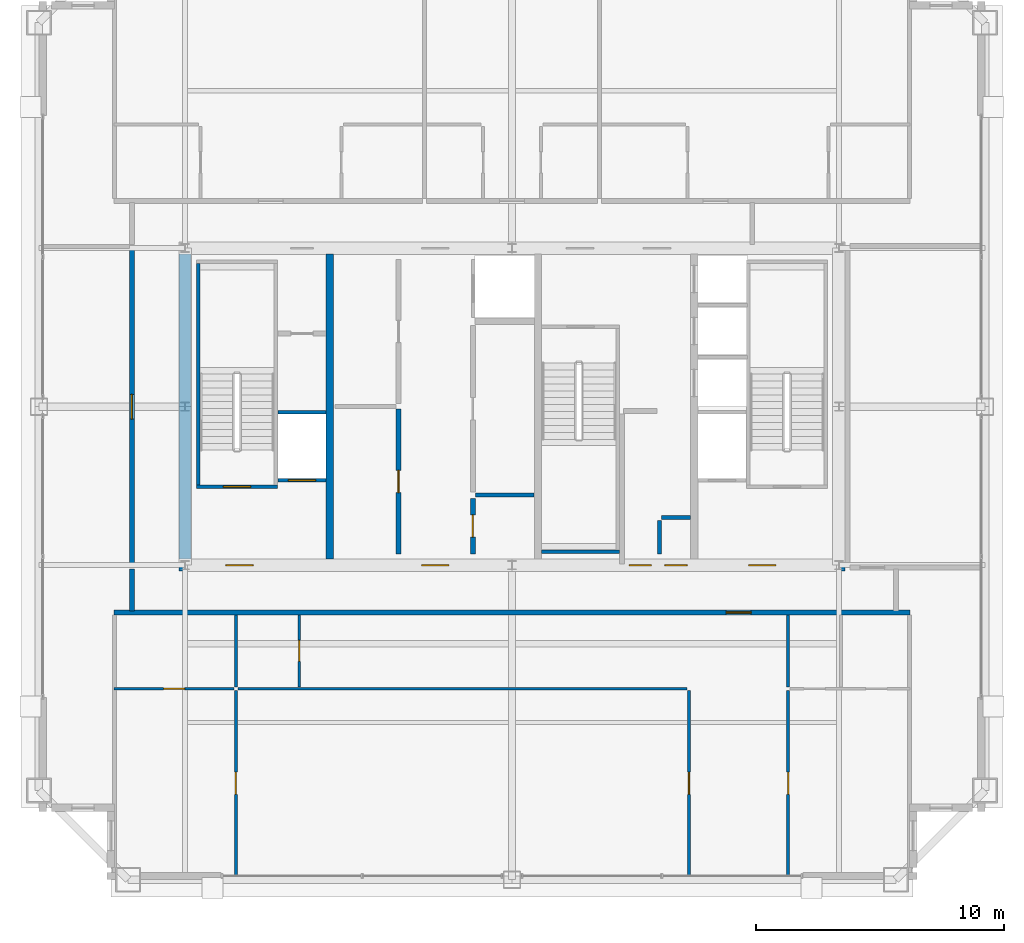
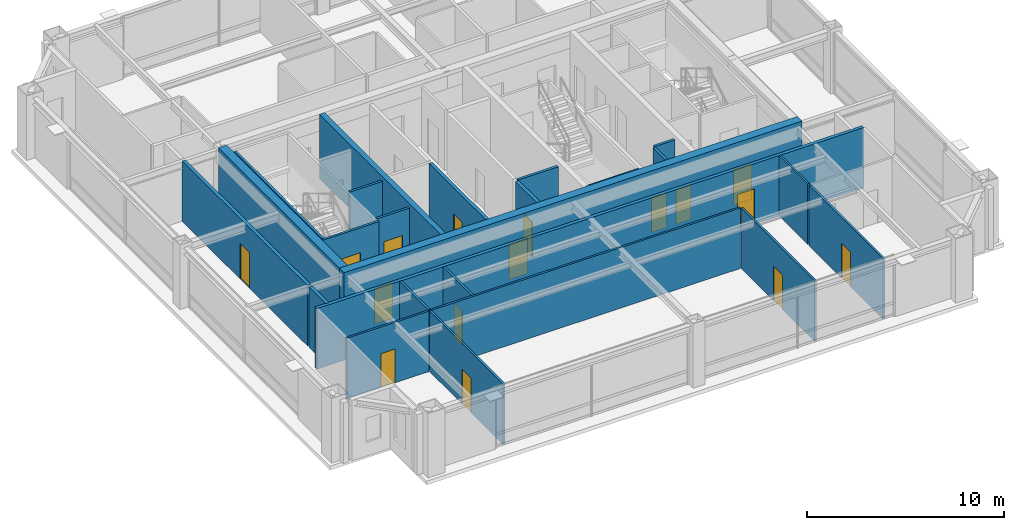
# One storey, part 30 of 34: 24 walls, 16 doors, 16 openings.
"""IFC4 building model written with IfcOpenShell, lengths in metres."""

from ifc_helpers import new_model, si_unit, direction, frame, frame_2d, origin, place, context, subcontext, project, spatial, rectangle, extrude, source, transform, mapped, material, layer, layer_set, type_object, element, fill, save


model = new_model("IFC4")

# Units and contexts
model_context = context("Model", 3, precision=1e-05, world=origin(), true_north=direction((0.0, 1.0)))
body_context = subcontext(model_context, "Body", "Model", "MODEL_VIEW")
ifc_project = project(units=[si_unit("LENGTHUNIT", "METRE"), si_unit("AREAUNIT", "SQUARE_METRE"), si_unit("VOLUMEUNIT", "CUBIC_METRE"), si_unit("PLANEANGLEUNIT", "RADIAN"), si_unit("MASSUNIT", "GRAM", prefix="KILO"), si_unit("THERMODYNAMICTEMPERATUREUNIT", "KELVIN"), si_unit("POWERUNIT", "WATT")], contexts=[model_context])

# Site, building, storey
site_placement = place(None, origin())
site = spatial("IfcSite", under=ifc_project, at=site_placement, CompositionType="ELEMENT")
building_placement = place(site_placement, origin())
building = spatial("IfcBuilding", under=site, at=building_placement, Name="Yuzanri Waterfront Tower", CompositionType="ELEMENT")
storey_placement = place(building_placement, frame((0.0, 0.0, 339.199951171875)))
storey = spatial("IfcBuildingStorey", under=building, at=storey_placement, Name="L91", CompositionType="ELEMENT", Elevation=339.199951171875)

# Wall, opening, door
ifc_material_1 = material(Name="Moisture-Resistant Gypsum Stud Wall", Category="gypsum")
ifc_layer_1 = layer(ifc_material_1, 0.1201171875)
ifc_layer_set_1 = layer_set([ifc_layer_1], Name="Moisture-Resistant Gypsum Stud Wall")
wall_type_1 = type_object("IfcWallType", Name="Bathroom and Kitchen Wet Partition 120", PredefinedType="PARTITIONING", material=ifc_layer_set_1)
wall_1_placement = place(storey_placement, frame((20.93994140625, 14.409912109375, 0.0), z_axis=(0.0, 0.0, 1.0), x_axis=(1.0, 0.0, 0.0)))
wall_1 = element("IfcWall", 1, at=wall_1_placement, inside=storey, type_object=wall_type_1, Name="L91 Partition UW-L91-HS1-SUB-1-S", PredefinedType="PARTITIONING", context=body_context, shape_type="SweptSolid", body=[
    extrude(rectangle(XDim=4.830078125, YDim=0.1201171875, at=frame_2d((2.4150390625, 0.0))), origin(), (0.0, 0.0, 1.0), 3.760009765625),
])
opening_1_placement = place(wall_1_placement, frame((1.989990234375, 0.0, 0.0)))
opening_1 = element("IfcOpeningElement", 2, at=opening_1_placement, cuts=wall_1, Name="Opening ID-0850", PredefinedType="OPENING", context=body_context, shape_type="SweptSolid", body=[
    extrude(rectangle(XDim=0.85009765625, YDim=2.10009765625, at=frame_2d((0.425048828125, 1.050048828125))), frame((0.0, 0.074951171875, 0.0), z_axis=(0.0, -1.0, 0.0), x_axis=(1.0, 0.0, 0.0)), (0.0, 0.0, 1.0), 0.14990234375),
])
ifc_material_2 = material(Name="Moisture-Resistant Lacquered Timber", Category="wood")
door_type_1 = type_object("IfcDoorType", Name="En-Suite Bathroom and Kitchen Swing Door 850x2100", OperationType="NOTDEFINED", PredefinedType="DOOR", material=ifc_material_2)
shared_shape_1 = source(origin(), body_context, "Body", "SweptSolid", [
    extrude(rectangle(XDim=0.85009765625, YDim=2.10009765625, at=frame_2d((0.425048828125, 1.050048828125))), frame((0.0, 0.02490234375, 0.0), z_axis=(0.0, -1.0, 0.0), x_axis=(1.0, 0.0, 0.0)), (0.0, 0.0, 1.0), 0.050048828125),
])
door_1_placement = place(opening_1_placement, origin())
door_1 = element("IfcDoor", 3, at=door_1_placement, inside=storey, type_object=door_type_1, Name="L91 Suite Interior Room Door", OperationType="SINGLE_SWING_RIGHT", OverallHeight=2.10009765625, OverallWidth=0.85009765625, PredefinedType="DOOR", context=body_context, shape_type="MappedRepresentation", body=[
    mapped(shared_shape_1, transform((0.0, 0.0, 0.0), scale=1.0)),
])
fill(opening_1, door_1)

wall_2_placement = place(storey_placement, frame((28.409912109375, 14.489990234375, 0.0), z_axis=(0.0, 0.0, 1.0), x_axis=(0.0, 1.0, 0.0)))
wall_2 = element("IfcWall", 4, at=wall_2_placement, inside=storey, type_object=wall_type_1, Name="L91 Partition UW-L91-HS1-SUB-2-E", PredefinedType="PARTITIONING", context=body_context, shape_type="SweptSolid", body=[
    extrude(rectangle(XDim=2.89990234375, YDim=0.1201171875, at=frame_2d((1.449951171875, 0.0))), origin(), (0.0, 0.0, 1.0), 3.760009765625),
])
opening_2_placement = place(wall_2_placement, frame((1.02490234375, 0.0, 0.0)))
opening_2 = element("IfcOpeningElement", 5, at=opening_2_placement, cuts=wall_2, Name="Opening ID-0850", PredefinedType="OPENING", context=body_context, shape_type="SweptSolid", body=[
    extrude(rectangle(XDim=0.85009765625, YDim=2.10009765625, at=frame_2d((0.425048828125, 1.050048828125))), frame((0.0, 0.074951171875, 0.0), z_axis=(0.0, -1.0, 0.0), x_axis=(1.0, 0.0, 0.0)), (0.0, 0.0, 1.0), 0.14990234375),
])
door_2_placement = place(opening_2_placement, origin())
door_2 = element("IfcDoor", 6, at=door_2_placement, inside=storey, type_object=door_type_1, Name="L91 Suite Interior Room Door", OperationType="SINGLE_SWING_LEFT", OverallHeight=2.10009765625, OverallWidth=0.85009765625, PredefinedType="DOOR", context=body_context, shape_type="MappedRepresentation", body=[
    mapped(shared_shape_1, transform((0.0, 0.0, 0.0), scale=1.0)),
])
fill(opening_2, door_2)

wall_3_placement = place(storey_placement, frame((25.85009765625, 6.85009765625, 0.0), z_axis=(0.0, 0.0, 1.0), x_axis=(0.0, 1.0, 0.0)))
wall_3 = element("IfcWall", 7, at=wall_3_placement, inside=storey, type_object=wall_type_1, Name="L91 Partition UW-L91-HS1-SUB-5-E", PredefinedType="PARTITIONING", context=body_context, shape_type="SweptSolid", body=[
    extrude(rectangle(XDim=7.47998046875, YDim=0.1201171875, at=frame_2d((3.739990234375, 0.0))), origin(), (0.0, 0.0, 1.0), 3.760009765625),
])
opening_3_placement = place(wall_3_placement, frame((3.2900390625, 0.0, 0.0)))
opening_3 = element("IfcOpeningElement", 8, at=opening_3_placement, cuts=wall_3, Name="Opening ID-0900", PredefinedType="OPENING", context=body_context, shape_type="SweptSolid", body=[
    extrude(rectangle(XDim=0.89990234375, YDim=2.14990234375, at=frame_2d((0.449951171875, 1.074951171875))), frame((0.0, 0.074951171875, 0.0), z_axis=(0.0, -1.0, 0.0), x_axis=(1.0, 0.0, 0.0)), (0.0, 0.0, 1.0), 0.14990234375),
])
ifc_material_3 = material(Name="Stained Walnut Veneer Timber", Category="wood")
door_type_2 = type_object("IfcDoorType", Name="Bedroom and Study Interior Swing Door 900x2150", OperationType="NOTDEFINED", PredefinedType="DOOR", material=ifc_material_3)
shared_shape_2 = source(origin(), body_context, "Body", "SweptSolid", [
    extrude(rectangle(XDim=0.89990234375, YDim=2.14990234375, at=frame_2d((0.449951171875, 1.074951171875))), frame((0.0, 0.02490234375, 0.0), z_axis=(0.0, -1.0, 0.0), x_axis=(1.0, 0.0, 0.0)), (0.0, 0.0, 1.0), 0.050048828125),
])
door_3_placement = place(opening_3_placement, origin())
door_3 = element("IfcDoor", 9, at=door_3_placement, inside=storey, type_object=door_type_2, Name="L91 Suite Interior Room Door", OperationType="SINGLE_SWING_RIGHT", OverallHeight=2.14990234375, OverallWidth=0.89990234375, PredefinedType="DOOR", context=body_context, shape_type="MappedRepresentation", body=[
    mapped(shared_shape_2, transform((0.0, 0.0, 0.0), scale=1.0)),
])
fill(opening_3, door_3)

wall_4_placement = place(storey_placement, frame((48.14990234375, 6.85009765625, 0.0), z_axis=(0.0, 0.0, 1.0), x_axis=(0.0, 1.0, 0.0)))
wall_4 = element("IfcWall", 10, at=wall_4_placement, inside=storey, type_object=wall_type_1, Name="L91 Partition UW-L91-HS1-SUB-6-W", PredefinedType="PARTITIONING", context=body_context, shape_type="SweptSolid", body=[
    extrude(rectangle(XDim=7.47998046875, YDim=0.1201171875, at=frame_2d((3.739990234375, 0.0))), origin(), (0.0, 0.0, 1.0), 3.760009765625),
])
opening_4_placement = place(wall_4_placement, frame((3.2900390625, 0.0, 0.0)))
opening_4 = element("IfcOpeningElement", 11, at=opening_4_placement, cuts=wall_4, Name="Opening ID-0900", PredefinedType="OPENING", context=body_context, shape_type="SweptSolid", body=[
    extrude(rectangle(XDim=0.89990234375, YDim=2.14990234375, at=frame_2d((0.449951171875, 1.074951171875))), frame((0.0, 0.074951171875, 0.0), z_axis=(0.0, -1.0, 0.0), x_axis=(1.0, 0.0, 0.0)), (0.0, 0.0, 1.0), 0.14990234375),
])
door_4_placement = place(opening_4_placement, origin())
door_4 = element("IfcDoor", 12, at=door_4_placement, inside=storey, type_object=door_type_2, Name="L91 Suite Interior Room Door", OperationType="SINGLE_SWING_LEFT", OverallHeight=2.14990234375, OverallWidth=0.89990234375, PredefinedType="DOOR", context=body_context, shape_type="MappedRepresentation", body=[
    mapped(shared_shape_2, transform((0.0, 0.0, 0.0), scale=1.0)),
])
fill(opening_4, door_4)

wall_5_placement = place(storey_placement, frame((44.14990234375, 6.85009765625, 0.0), z_axis=(0.0, 0.0, 1.0), x_axis=(0.0, 1.0, 0.0)))
wall_5 = element("IfcWall", 13, at=wall_5_placement, inside=storey, type_object=wall_type_1, Name="L91 Partition UW-L91-HS1-SUB-7-E", PredefinedType="PARTITIONING", context=body_context, shape_type="SweptSolid", body=[
    extrude(rectangle(XDim=7.47998046875, YDim=0.1201171875, at=frame_2d((3.739990234375, 0.0))), origin(), (0.0, 0.0, 1.0), 3.760009765625),
])
opening_5_placement = place(wall_5_placement, frame((3.2900390625, 0.0, 0.0)))
opening_5 = element("IfcOpeningElement", 14, at=opening_5_placement, cuts=wall_5, Name="Opening ID-0900", PredefinedType="OPENING", context=body_context, shape_type="SweptSolid", body=[
    extrude(rectangle(XDim=0.89990234375, YDim=2.14990234375, at=frame_2d((0.449951171875, 1.074951171875))), frame((0.0, 0.074951171875, 0.0), z_axis=(0.0, -1.0, 0.0), x_axis=(1.0, 0.0, 0.0)), (0.0, 0.0, 1.0), 0.14990234375),
])
door_5_placement = place(opening_5_placement, origin())
door_5 = element("IfcDoor", 15, at=door_5_placement, inside=storey, type_object=door_type_2, Name="L91 Suite Interior Room Door", OperationType="SINGLE_SWING_RIGHT", OverallHeight=2.14990234375, OverallWidth=0.89990234375, PredefinedType="DOOR", context=body_context, shape_type="MappedRepresentation", body=[
    mapped(shared_shape_2, transform((0.0, 0.0, 0.0), scale=1.0)),
])
fill(opening_5, door_5)

# Wall, openings, doors
ifc_material_4 = material(Name="Concrete C45", Category="concrete")
ifc_layer_2 = layer(ifc_material_4, 0.47998046875)
ifc_layer_set_2 = layer_set([ifc_layer_2], Name="Concrete C45")
wall_type_2 = type_object("IfcWallType", Name="Concrete C45 High-Rise Core Shear Wall 480", PredefinedType="SHEAR", material=ifc_layer_set_2)
wall_6_placement = place(storey_placement, frame((23.56005859375, 19.39990234375, 0.0), z_axis=(0.0, 0.0, 1.0), x_axis=(1.0, 0.0, 0.0)))
wall_6 = element("IfcWall", 16, at=wall_6_placement, inside=storey, type_object=wall_type_2, Name="L91 Core South Shear Wall", PredefinedType="SHEAR", context=body_context, shape_type="SweptSolid", body=[
    extrude(rectangle(XDim=26.8798828125, YDim=0.47998046875, at=frame_2d((13.43994140625, 0.0))), origin(), (0.0, 0.0, 1.0), 4.0),
])
opening_6_placement = place(wall_6_placement, frame((1.889892578125, 0.0, 0.0)))
opening_6 = element("IfcOpeningElement", 17, at=opening_6_placement, cuts=wall_6, Name="Opening FD-1100", PredefinedType="OPENING", context=body_context, shape_type="SweptSolid", body=[
    extrude(rectangle(XDim=1.10009765625, YDim=2.199951171875, at=frame_2d((0.550048828125, 1.10009765625))), frame((0.0, 0.2548828125, 0.0), z_axis=(0.0, -1.0, 0.0), x_axis=(1.0, 0.0, 0.0)), (0.0, 0.0, 1.0), 0.509765625),
])
opening_7_placement = place(wall_6_placement, frame((9.7900390625, 0.0, 0.0)))
opening_7 = element("IfcOpeningElement", 18, at=opening_7_placement, cuts=wall_6, Name="Opening FD-1100", PredefinedType="OPENING", context=body_context, shape_type="SweptSolid", body=[
    extrude(rectangle(XDim=1.10009765625, YDim=2.199951171875, at=frame_2d((0.550048828125, 1.10009765625))), frame((0.0, 0.2548828125, 0.0), z_axis=(0.0, -1.0, 0.0), x_axis=(1.0, 0.0, 0.0)), (0.0, 0.0, 1.0), 0.509765625),
])
opening_8_placement = place(wall_6_placement, frame((22.989990234375, 0.0, 0.0)))
opening_8 = element("IfcOpeningElement", 19, at=opening_8_placement, cuts=wall_6, Name="Opening FD-1100", PredefinedType="OPENING", context=body_context, shape_type="SweptSolid", body=[
    extrude(rectangle(XDim=1.10009765625, YDim=2.199951171875, at=frame_2d((0.550048828125, 1.10009765625))), frame((0.0, 0.2548828125, 0.0), z_axis=(0.0, -1.0, 0.0), x_axis=(1.0, 0.0, 0.0)), (0.0, 0.0, 1.0), 0.509765625),
])
opening_9_placement = place(wall_6_placement, frame((19.610107421875, 0.0, 0.0)))
opening_9 = element("IfcOpeningElement", 20, at=opening_9_placement, cuts=wall_6, Name="Opening FD-0900", PredefinedType="OPENING", context=body_context, shape_type="SweptSolid", body=[
    extrude(rectangle(XDim=0.89990234375, YDim=2.14990234375, at=frame_2d((0.449951171875, 1.074951171875))), frame((0.0, 0.2548828125, 0.0), z_axis=(0.0, -1.0, 0.0), x_axis=(1.0, 0.0, 0.0)), (0.0, 0.0, 1.0), 0.509765625),
])
opening_10_placement = place(wall_6_placement, frame((18.169921875, 0.0, 0.0)))
opening_10 = element("IfcOpeningElement", 21, at=opening_10_placement, cuts=wall_6, Name="Opening FD-0900", PredefinedType="OPENING", context=body_context, shape_type="SweptSolid", body=[
    extrude(rectangle(XDim=0.89990234375, YDim=2.14990234375, at=frame_2d((0.449951171875, 1.074951171875))), frame((0.0, 0.2548828125, 0.0), z_axis=(0.0, -1.0, 0.0), x_axis=(1.0, 0.0, 0.0)), (0.0, 0.0, 1.0), 0.509765625),
])
ifc_material_5 = material(Name="Painted Galvanized Fire Steel", Category="steel")
door_type_3 = type_object("IfcDoorType", Name="Smoke-Proof Stair and Lobby Fire Door 1100x2200", OperationType="NOTDEFINED", PredefinedType="DOOR", material=ifc_material_5)
shared_shape_3 = source(origin(), body_context, "Body", "SweptSolid", [
    extrude(rectangle(XDim=1.10009765625, YDim=2.199951171875, at=frame_2d((0.550048828125, 1.10009765625))), frame((0.0, 0.02490234375, 0.0), z_axis=(0.0, -1.0, 0.0), x_axis=(1.0, 0.0, 0.0)), (0.0, 0.0, 1.0), 0.050048828125),
])
door_6_placement = place(opening_6_placement, origin())
door_6 = element("IfcDoor", 22, at=door_6_placement, inside=storey, type_object=door_type_3, Name="L91 West Firefighting Lobby Door", OperationType="SINGLE_SWING_LEFT", OverallHeight=2.199951171875, OverallWidth=1.10009765625, PredefinedType="DOOR", context=body_context, shape_type="MappedRepresentation", body=[
    mapped(shared_shape_3, transform((0.0, 0.0, 0.0), scale=1.0)),
])
fill(opening_6, door_6)
door_7_placement = place(opening_7_placement, origin())
door_7 = element("IfcDoor", 23, at=door_7_placement, inside=storey, type_object=door_type_3, Name="L91 Central Lift Lobby South Door", OperationType="SINGLE_SWING_RIGHT", OverallHeight=2.199951171875, OverallWidth=1.10009765625, PredefinedType="DOOR", context=body_context, shape_type="MappedRepresentation", body=[
    mapped(shared_shape_3, transform((0.0, 0.0, 0.0), scale=1.0)),
])
fill(opening_7, door_7)
door_8_placement = place(opening_8_placement, origin())
door_8 = element("IfcDoor", 24, at=door_8_placement, inside=storey, type_object=door_type_3, Name="L91 East Firefighting Lobby Door", OperationType="SINGLE_SWING_LEFT", OverallHeight=2.199951171875, OverallWidth=1.10009765625, PredefinedType="DOOR", context=body_context, shape_type="MappedRepresentation", body=[
    mapped(shared_shape_3, transform((0.0, 0.0, 0.0), scale=1.0)),
])
fill(opening_8, door_8)
ifc_material_6 = material(Name="Painted Galvanized Fire Steel", Category="steel")
door_type_4 = type_object("IfcDoorType", Name="Riser and Service Room Fire Door 900x2150", OperationType="NOTDEFINED", PredefinedType="DOOR", material=ifc_material_6)
shared_shape_4 = source(origin(), body_context, "Body", "SweptSolid", [
    extrude(rectangle(XDim=0.89990234375, YDim=2.14990234375, at=frame_2d((0.449951171875, 1.074951171875))), frame((0.0, 0.02490234375, 0.0), z_axis=(0.0, -1.0, 0.0), x_axis=(1.0, 0.0, 0.0)), (0.0, 0.0, 1.0), 0.050048828125),
])
door_9_placement = place(opening_9_placement, origin())
door_9 = element("IfcDoor", 25, at=door_9_placement, inside=storey, type_object=door_type_4, Name="L91 East Wet Riser Door", OperationType="SINGLE_SWING_LEFT", OverallHeight=2.14990234375, OverallWidth=0.89990234375, PredefinedType="DOOR", context=body_context, shape_type="MappedRepresentation", body=[
    mapped(shared_shape_4, transform((0.0, 0.0, 0.0), scale=1.0)),
])
fill(opening_9, door_9)
door_10_placement = place(opening_10_placement, origin())
door_10 = element("IfcDoor", 26, at=door_10_placement, inside=storey, type_object=door_type_4, Name="L91 Cleaners Store Room", OperationType="SINGLE_SWING_RIGHT", OverallHeight=2.14990234375, OverallWidth=0.89990234375, PredefinedType="DOOR", context=body_context, shape_type="MappedRepresentation", body=[
    mapped(shared_shape_4, transform((0.0, 0.0, 0.0), scale=1.0)),
])
fill(opening_10, door_10)

# Wall, opening, door
ifc_material_7 = material(Name="Concrete C40", Category="concrete")
ifc_layer_3 = layer(ifc_material_7, 0.139892578125)
ifc_layer_set_3 = layer_set([ifc_layer_3], Name="Concrete C40")
wall_type_3 = type_object("IfcWallType", Name="Core Stair Liner and Hoistway Shaft Wall 140", PredefinedType="SOLIDWALL", material=ifc_layer_set_3)
wall_7_placement = place(storey_placement, frame((27.56005859375, 22.830078125, 0.0), z_axis=(0.0, 0.0, 1.0), x_axis=(1.0, 0.0, 0.0)))
wall_7 = element("IfcWall", 27, at=wall_7_placement, inside=storey, type_object=wall_type_3, Name="L91 Lift FL-01 Front Shaft Wall", PredefinedType="SOLIDWALL", context=body_context, shape_type="SweptSolid", body=[
    extrude(rectangle(XDim=1.919921875, YDim=0.139892578125, at=frame_2d((0.9599609375, 0.0))), origin(), (0.0, 0.0, 1.0), 3.760009765625),
])
opening_11_placement = place(wall_7_placement, frame((0.409912109375, 0.0, 0.0)))
opening_11 = element("IfcOpeningElement", 28, at=opening_11_placement, cuts=wall_7, Name="Opening LD-FL-01", PredefinedType="OPENING", context=body_context, shape_type="SweptSolid", body=[
    extrude(rectangle(XDim=1.10009765625, YDim=2.199951171875, at=frame_2d((0.550048828125, 1.10009765625))), frame((0.0, 0.0849609375, 0.0), z_axis=(0.0, -1.0, 0.0), x_axis=(1.0, 0.0, 0.0)), (0.0, 0.0, 1.0), 0.169677734375),
])
ifc_material_8 = material(Name="Brushed Bronze and Stainless Steel Cab", Category="steel")
door_type_5 = type_object("IfcDoorType", Name="Center-Parting Bronze Lift Landing Sliding Door 1100x2200", OperationType="NOTDEFINED", PredefinedType="DOOR", material=ifc_material_8)
shared_shape_5 = source(origin(), body_context, "Body", "SweptSolid", [
    extrude(rectangle(XDim=1.10009765625, YDim=2.199951171875, at=frame_2d((0.550048828125, 1.10009765625))), frame((0.0, 0.02490234375, 0.0), z_axis=(0.0, -1.0, 0.0), x_axis=(1.0, 0.0, 0.0)), (0.0, 0.0, 1.0), 0.050048828125),
])
door_11_placement = place(opening_11_placement, origin())
door_11 = element("IfcDoor", 29, at=door_11_placement, inside=storey, type_object=door_type_5, Name="L91 FL-01 Lift Landing Sliding Door", OperationType="SLIDING_TO_LEFT", OverallHeight=2.199951171875, OverallWidth=1.10009765625, PredefinedType="DOOR", context=body_context, shape_type="MappedRepresentation", body=[
    mapped(shared_shape_5, transform((0.0, 0.0, 0.0), scale=1.0)),
])
fill(opening_11, door_11)

wall_8_placement = place(storey_placement, frame((24.260009765625, 22.570068359375, 0.0), z_axis=(0.0, 0.0, 1.0), x_axis=(1.0, 0.0, 0.0)))
wall_8 = element("IfcWall", 30, at=wall_8_placement, inside=storey, type_object=wall_type_3, Name="L91 Shaft Wall STW-L91-ST-01-S", PredefinedType="SOLIDWALL", context=body_context, shape_type="SweptSolid", body=[
    extrude(rectangle(XDim=3.280029296875, YDim=0.139892578125, at=frame_2d((1.64013671875, 0.0))), origin(), (0.0, 0.0, 1.0), 3.760009765625),
])
opening_12_placement = place(wall_8_placement, frame((1.090087890625, 0.0, 0.0)))
opening_12 = element("IfcOpeningElement", 31, at=opening_12_placement, cuts=wall_8, Name="Opening FD-1100", PredefinedType="OPENING", context=body_context, shape_type="SweptSolid", body=[
    extrude(rectangle(XDim=1.10009765625, YDim=2.199951171875, at=frame_2d((0.550048828125, 1.10009765625))), frame((0.0, 0.0849609375, 0.0), z_axis=(0.0, -1.0, 0.0), x_axis=(1.0, 0.0, 0.0)), (0.0, 0.0, 1.0), 0.169677734375),
])
door_12_placement = place(opening_12_placement, origin())
door_12 = element("IfcDoor", 32, at=door_12_placement, inside=storey, type_object=door_type_3, Name="L91 Stair ST-01 Fire Door", OperationType="SINGLE_SWING_RIGHT", OverallHeight=2.199951171875, OverallWidth=1.10009765625, PredefinedType="DOOR", context=body_context, shape_type="MappedRepresentation", body=[
    mapped(shared_shape_3, transform((0.0, 0.0, 0.0), scale=1.0)),
])
fill(opening_12, door_12)

ifc_material_9 = material(Name="Autoclaved Aerated Concrete Blockwork", Category="masonry")
ifc_layer_4 = layer(ifc_material_9, 0.199951171875)
ifc_layer_set_4 = layer_set([ifc_layer_4], Name="Autoclaved Aerated Concrete Blockwork")
wall_type_4 = type_object("IfcWallType", Name="Corridor and Unit Party Fire Wall 200", PredefinedType="PARTITIONING", material=ifc_layer_set_4)
wall_9_placement = place(storey_placement, frame((32.419921875, 19.860107421875, 0.0), z_axis=(0.0, 0.0, 1.0), x_axis=(0.0, 1.0, 0.0)))
wall_9 = element("IfcWall", 33, at=wall_9_placement, inside=storey, type_object=wall_type_4, Name="L91 Partition CRW-L91-B1R-1", PredefinedType="PARTITIONING", context=body_context, shape_type="SweptSolid", body=[
    extrude(rectangle(XDim=5.83984375, YDim=0.199951171875, at=frame_2d((2.919921875, 0.0))), origin(), (0.0, 0.0, 1.0), 3.760009765625),
])
opening_13_placement = place(wall_9_placement, frame((2.469970703125, 0.0, 0.0)))
opening_13 = element("IfcOpeningElement", 34, at=opening_13_placement, cuts=wall_9, Name="Opening FD-0900", PredefinedType="OPENING", context=body_context, shape_type="SweptSolid", body=[
    extrude(rectangle(XDim=0.89990234375, YDim=2.14990234375, at=frame_2d((0.449951171875, 1.074951171875))), frame((0.0, 0.11474609375, 0.0), z_axis=(0.0, -1.0, 0.0), x_axis=(1.0, 0.0, 0.0)), (0.0, 0.0, 1.0), 0.229736328125),
])
door_13_placement = place(opening_13_placement, origin())
door_13 = element("IfcDoor", 35, at=door_13_placement, inside=storey, type_object=door_type_4, Name="L91 South Private Store Room", OperationType="SINGLE_SWING_LEFT", OverallHeight=2.14990234375, OverallWidth=0.89990234375, PredefinedType="DOOR", context=body_context, shape_type="MappedRepresentation", body=[
    mapped(shared_shape_4, transform((0.0, 0.0, 0.0), scale=1.0)),
])
fill(opening_13, door_13)

wall_10_placement = place(storey_placement, frame((35.419921875, 19.860107421875, 0.0), z_axis=(0.0, 0.0, 1.0), x_axis=(0.0, 1.0, 0.0)))
wall_10 = element("IfcWall", 36, at=wall_10_placement, inside=storey, type_object=wall_type_4, Name="L91 Partition CRW-L91-B2R-1", PredefinedType="PARTITIONING", context=body_context, shape_type="SweptSolid", body=[
    extrude(rectangle(XDim=2.239990234375, YDim=0.199951171875, at=frame_2d((1.1201171875, 0.0))), origin(), (0.0, 0.0, 1.0), 3.760009765625),
])
opening_14_placement = place(wall_10_placement, frame((0.669921875, 0.0, 0.0)))
opening_14 = element("IfcOpeningElement", 37, at=opening_14_placement, cuts=wall_10, Name="Opening FD-0900", PredefinedType="OPENING", context=body_context, shape_type="SweptSolid", body=[
    extrude(rectangle(XDim=0.89990234375, YDim=2.14990234375, at=frame_2d((0.449951171875, 1.074951171875))), frame((0.0, 0.11474609375, 0.0), z_axis=(0.0, -1.0, 0.0), x_axis=(1.0, 0.0, 0.0)), (0.0, 0.0, 1.0), 0.229736328125),
])
door_14_placement = place(opening_14_placement, origin())
door_14 = element("IfcDoor", 38, at=door_14_placement, inside=storey, type_object=door_type_4, Name="L91 Service Duct Shaft", OperationType="SINGLE_SWING_LEFT", OverallHeight=2.14990234375, OverallWidth=0.89990234375, PredefinedType="DOOR", context=body_context, shape_type="MappedRepresentation", body=[
    mapped(shared_shape_4, transform((0.0, 0.0, 0.0), scale=1.0)),
])
fill(opening_14, door_14)

wall_11_placement = place(storey_placement, frame((20.93994140625, 17.489990234375, 0.0), z_axis=(0.0, 0.0, 1.0), x_axis=(1.0, 0.0, 0.0)))
wall_11 = element("IfcWall", 39, at=wall_11_placement, inside=storey, type_object=wall_type_4, Name="L91 Partition UW-L91-HS1-CN", PredefinedType="PARTITIONING", context=body_context, shape_type="SweptSolid", body=[
    extrude(rectangle(XDim=32.1201171875, YDim=0.199951171875, at=frame_2d((16.06005859375, 0.0))), origin(), (0.0, 0.0, 1.0), 3.760009765625),
])
opening_15_placement = place(wall_11_placement, frame((24.7099609375, 0.0, 0.0)))
opening_15 = element("IfcOpeningElement", 40, at=opening_15_placement, cuts=wall_11, Name="Opening FD-1000", PredefinedType="OPENING", context=body_context, shape_type="SweptSolid", body=[
    extrude(rectangle(XDim=1.0, YDim=2.199951171875, at=frame_2d((0.5, 1.10009765625))), frame((0.0, 0.11474609375, 0.0), z_axis=(0.0, -1.0, 0.0), x_axis=(1.0, 0.0, 0.0)), (0.0, 0.0, 1.0), 0.229736328125),
])
ifc_material_10 = material(Name="Engineered Oak Fire-Rated Timber", Category="wood")
door_type_6 = type_object("IfcDoorType", Name="Guestroom and Apartment Entrance Fire Door 1000x2200", OperationType="NOTDEFINED", PredefinedType="DOOR", material=ifc_material_10)
shared_shape_6 = source(origin(), body_context, "Body", "SweptSolid", [
    extrude(rectangle(XDim=1.0, YDim=2.199951171875, at=frame_2d((0.5, 1.10009765625))), frame((0.0, 0.02490234375, 0.0), z_axis=(0.0, -1.0, 0.0), x_axis=(1.0, 0.0, 0.0)), (0.0, 0.0, 1.0), 0.050048828125),
])
door_15_placement = place(opening_15_placement, origin())
door_15 = element("IfcDoor", 41, at=door_15_placement, inside=storey, type_object=door_type_6, Name="L91 Penthouse Grand Living Salon Entrance Door", OperationType="SINGLE_SWING_LEFT", OverallHeight=2.199951171875, OverallWidth=1.0, PredefinedType="DOOR", context=body_context, shape_type="MappedRepresentation", body=[
    mapped(shared_shape_6, transform((0.0, 0.0, 0.0), scale=1.0)),
])
fill(opening_15, door_15)

wall_12_placement = place(storey_placement, frame((21.64990234375, 19.409912109375, 0.0), z_axis=(0.0, 0.0, 1.0), x_axis=(0.0, 1.0, 0.0)))
wall_12 = element("IfcWall", 42, at=wall_12_placement, inside=storey, type_object=wall_type_4, Name="L91 Partition UW-L91-037-CW", PredefinedType="PARTITIONING", context=body_context, shape_type="SweptSolid", body=[
    extrude(rectangle(XDim=12.780029296875, YDim=0.199951171875, at=frame_2d((6.39013671875, 0.0))), origin(), (0.0, 0.0, 1.0), 3.760009765625),
])
opening_16_placement = place(wall_12_placement, frame((5.889892578125, 0.0, 0.0)))
opening_16 = element("IfcOpeningElement", 43, at=opening_16_placement, cuts=wall_12, Name="Opening FD-1000", PredefinedType="OPENING", context=body_context, shape_type="SweptSolid", body=[
    extrude(rectangle(XDim=1.0, YDim=2.199951171875, at=frame_2d((0.5, 1.10009765625))), frame((0.0, 0.11474609375, 0.0), z_axis=(0.0, -1.0, 0.0), x_axis=(1.0, 0.0, 0.0)), (0.0, 0.0, 1.0), 0.229736328125),
])
door_16_placement = place(opening_16_placement, origin())
door_16 = element("IfcDoor", 44, at=door_16_placement, inside=storey, type_object=door_type_6, Name="L91 High-Rise W Executive Study Office Entrance Door", OperationType="SINGLE_SWING_RIGHT", OverallHeight=2.199951171875, OverallWidth=1.0, PredefinedType="DOOR", context=body_context, shape_type="MappedRepresentation", body=[
    mapped(shared_shape_6, transform((0.0, 0.0, 0.0), scale=1.0)),
])
fill(opening_16, door_16)

# Walls
shared_shape_7 = source(origin(), body_context, "Body", "SweptSolid", [
    extrude(rectangle(XDim=12.320068359375, YDim=0.47998046875, at=frame_2d((6.16015625, 0.0))), origin(), (0.0, 0.0, 1.0), 4.0),
])
wall_13_placement = place(storey_placement, frame((23.800048828125, 19.639892578125, 0.0), z_axis=(0.0, 0.0, 1.0), x_axis=(0.0, 1.0, 0.0)))
element("IfcWall", 45, at=wall_13_placement, inside=storey, type_object=wall_type_2, Name="L91 Core West Shear Wall", PredefinedType="SHEAR", context=body_context, shape_type="MappedRepresentation", body=[
    mapped(shared_shape_7, transform((0.0, 0.0, 0.0), scale=1.0)),
])
ifc_material_11 = material(Name="Concrete C50", Category="concrete")
ifc_layer_5 = layer(ifc_material_11, 0.300048828125)
ifc_layer_set_5 = layer_set([ifc_layer_5], Name="Concrete C50")
wall_type_5 = type_object("IfcWallType", Name="Concrete C50 Internal Core Shaft Structural Wall 300", PredefinedType="SOLIDWALL", material=ifc_layer_set_5)
shared_shape_8 = source(origin(), body_context, "Body", "SweptSolid", [
    extrude(rectangle(XDim=12.320068359375, YDim=0.300048828125, at=frame_2d((6.16015625, 0.0))), origin(), (0.0, 0.0, 1.0), 4.0),
])
wall_14_placement = place(storey_placement, frame((29.64990234375, 19.639892578125, 0.0), z_axis=(0.0, 0.0, 1.0), x_axis=(0.0, 1.0, 0.0)))
element("IfcWall", 46, at=wall_14_placement, inside=storey, type_object=wall_type_5, Name="L91 Core Internal Structural Web Wall 1", PredefinedType="SOLIDWALL", context=body_context, shape_type="MappedRepresentation", body=[
    mapped(shared_shape_8, transform((0.0, 0.0, 0.0), scale=1.0)),
])
shared_shape_9 = source(origin(), body_context, "Body", "SweptSolid", [
    extrude(rectangle(XDim=1.919921875, YDim=0.139892578125, at=frame_2d((0.9599609375, 0.0))), origin(), (0.0, 0.0, 1.0), 3.760009765625),
])
wall_15_placement = place(storey_placement, frame((27.56005859375, 25.570068359375, 0.0), z_axis=(0.0, 0.0, 1.0), x_axis=(1.0, 0.0, 0.0)))
element("IfcWall", 47, at=wall_15_placement, inside=storey, type_object=wall_type_3, Name="L91 Lift FL-01 Back Shaft Wall", PredefinedType="SOLIDWALL", context=body_context, shape_type="MappedRepresentation", body=[
    mapped(shared_shape_9, transform((0.0, 0.0, 0.0), scale=1.0)),
])
shared_shape_10 = source(origin(), body_context, "Body", "SweptSolid", [
    extrude(rectangle(XDim=8.940185546875, YDim=0.139892578125, at=frame_2d((4.47021484375, 0.0))), origin(), (0.0, 0.0, 1.0), 3.760009765625),
])
wall_16_placement = place(storey_placement, frame((24.330078125, 22.639892578125, 0.0), z_axis=(0.0, 0.0, 1.0), x_axis=(0.0, 1.0, 0.0)))
element("IfcWall", 48, at=wall_16_placement, inside=storey, type_object=wall_type_3, Name="L91 Stair ST-01 West Shaft Wall", PredefinedType="SOLIDWALL", context=body_context, shape_type="MappedRepresentation", body=[
    mapped(shared_shape_10, transform((0.0, 0.0, 0.0), scale=1.0)),
])
shared_shape_11 = source(origin(), body_context, "Body", "SweptSolid", [
    extrude(rectangle(XDim=3.14013671875, YDim=0.139892578125, at=frame_2d((1.570068359375, 0.0))), origin(), (0.0, 0.0, 1.0), 3.760009765625),
])
wall_17_placement = place(storey_placement, frame((38.199951171875, 19.949951171875, 0.0), z_axis=(0.0, 0.0, 1.0), x_axis=(1.0, 0.0, 0.0)))
element("IfcWall", 49, at=wall_17_placement, inside=storey, type_object=wall_type_3, Name="L91 Stair ST-03 South Shaft Wall", PredefinedType="SOLIDWALL", context=body_context, shape_type="MappedRepresentation", body=[
    mapped(shared_shape_11, transform((0.0, 0.0, 0.0), scale=1.0)),
])
ifc_material_12 = material(Name="Gypsum Fireboard Acoustic Stud Wall", Category="gypsum")
ifc_layer_6 = layer(ifc_material_12, 0.159912109375)
ifc_layer_set_6 = layer_set([ifc_layer_6], Name="Gypsum Fireboard Acoustic Stud Wall")
wall_type_6 = type_object("IfcWallType", Name="Acoustic Suite Demising Partition 160", PredefinedType="PARTITIONING", material=ifc_layer_set_6)
shared_shape_12 = source(origin(), body_context, "Body", "SweptSolid", [
    extrude(rectangle(XDim=2.35986328125, YDim=0.159912109375, at=frame_2d((1.179931640625, 0.0))), origin(), (0.0, 0.0, 1.0), 3.760009765625),
])
wall_18_placement = place(storey_placement, frame((35.52001953125, 22.22998046875, 0.0), z_axis=(0.0, 0.0, 1.0), x_axis=(1.0, 0.0, 0.0)))
element("IfcWall", 50, at=wall_18_placement, inside=storey, type_object=wall_type_6, Name="L91 Reclaimed High-Zone Divider 2", PredefinedType="PARTITIONING", context=body_context, shape_type="MappedRepresentation", body=[
    mapped(shared_shape_12, transform((0.0, 0.0, 0.0), scale=1.0)),
])
shared_shape_13 = source(origin(), body_context, "Body", "SweptSolid", [
    extrude(rectangle(XDim=1.33984375, YDim=0.159912109375, at=frame_2d((0.669921875, 0.0))), origin(), (0.0, 0.0, 1.0), 3.760009765625),
])
wall_19_placement = place(storey_placement, frame((42.949951171875, 19.860107421875, 0.0), z_axis=(0.0, 0.0, 1.0), x_axis=(0.0, 1.0, 0.0)))
element("IfcWall", 51, at=wall_19_placement, inside=storey, type_object=wall_type_6, Name="L91 East Wet Riser West Wall", PredefinedType="PARTITIONING", context=body_context, shape_type="MappedRepresentation", body=[
    mapped(shared_shape_13, transform((0.0, 0.0, 0.0), scale=1.0)),
])
shared_shape_14 = source(origin(), body_context, "Body", "SweptSolid", [
    extrude(rectangle(XDim=1.169921875, YDim=0.159912109375, at=frame_2d((0.5849609375, 0.0))), origin(), (0.0, 0.0, 1.0), 3.760009765625),
])
wall_20_placement = place(storey_placement, frame((43.030029296875, 21.320068359375, 0.0), z_axis=(0.0, 0.0, 1.0), x_axis=(1.0, 0.0, 0.0)))
element("IfcWall", 52, at=wall_20_placement, inside=storey, type_object=wall_type_6, Name="L91 East Wet Riser North Wall", PredefinedType="PARTITIONING", context=body_context, shape_type="MappedRepresentation", body=[
    mapped(shared_shape_14, transform((0.0, 0.0, 0.0), scale=1.0)),
])
shared_shape_15 = source(origin(), body_context, "Body", "SweptSolid", [
    extrude(rectangle(XDim=1.699951171875, YDim=0.199951171875, at=frame_2d((0.85009765625, 0.0))), origin(), (0.0, 0.0, 1.0), 3.760009765625),
])
wall_21_placement = place(storey_placement, frame((21.64990234375, 17.550048828125, 0.0), z_axis=(0.0, 0.0, 1.0), x_axis=(0.0, 1.0, 0.0)))
element("IfcWall", 53, at=wall_21_placement, inside=storey, type_object=wall_type_4, Name="L91 South Foyer West End Wall", PredefinedType="PARTITIONING", context=body_context, shape_type="MappedRepresentation", body=[
    mapped(shared_shape_15, transform((0.0, 0.0, 0.0), scale=1.0)),
])
shared_shape_16 = source(origin(), body_context, "Body", "SweptSolid", [
    extrude(rectangle(XDim=2.89990234375, YDim=0.1201171875, at=frame_2d((1.449951171875, 0.0))), origin(), (0.0, 0.0, 1.0), 3.760009765625),
])
for number, where, z_axis, x_axis, name in (
    (54, (25.85009765625, 14.489990234375, 0.0), (0.0, 0.0, 1.0), (0.0, 1.0, 0.0), "L91 Partition UW-L91-HS1-SUB-1-E"),
    (55, (48.14990234375, 14.489990234375, 0.0), (0.0, 0.0, 1.0), (0.0, 1.0, 0.0), "L91 Partition UW-L91-HS1-SUB-4-W"),
):
    element("IfcWall", number, at=place(storey_placement, frame(where, z_axis=z_axis, x_axis=x_axis)), inside=storey, type_object=wall_type_1, Name=name, PredefinedType="PARTITIONING", context=body_context, shape_type="MappedRepresentation", body=[
        mapped(shared_shape_16, transform((0.0, 0.0, 0.0), scale=1.0)),
    ])
shared_shape_17 = source(origin(), body_context, "Body", "SweptSolid", [
    extrude(rectangle(XDim=18.14013671875, YDim=0.1201171875, at=frame_2d((9.070068359375, 0.0))), origin(), (0.0, 0.0, 1.0), 3.760009765625),
])
wall_22_placement = place(storey_placement, frame((25.929931640625, 14.409912109375, 0.0), z_axis=(0.0, 0.0, 1.0), x_axis=(1.0, 0.0, 0.0)))
element("IfcWall", 56, at=wall_22_placement, inside=storey, type_object=wall_type_1, Name="L91 Partition UW-L91-HS1-SUB-7-N", PredefinedType="PARTITIONING", context=body_context, shape_type="MappedRepresentation", body=[
    mapped(shared_shape_17, transform((0.0, 0.0, 0.0), scale=1.0)),
])

save(model, "model.ifc")
